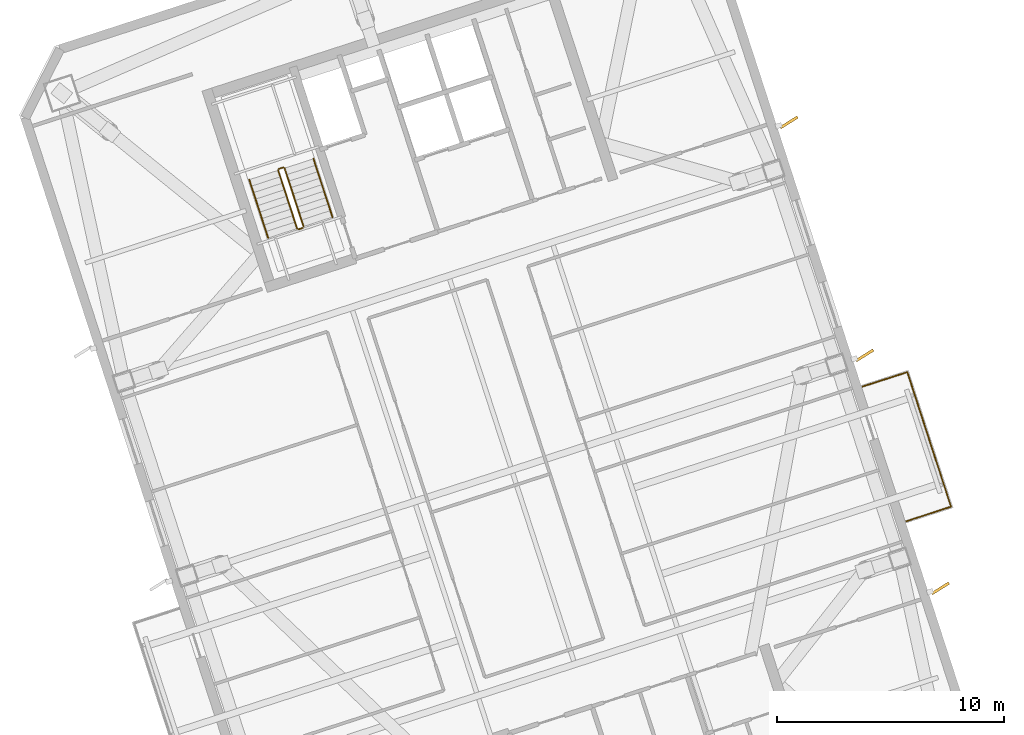
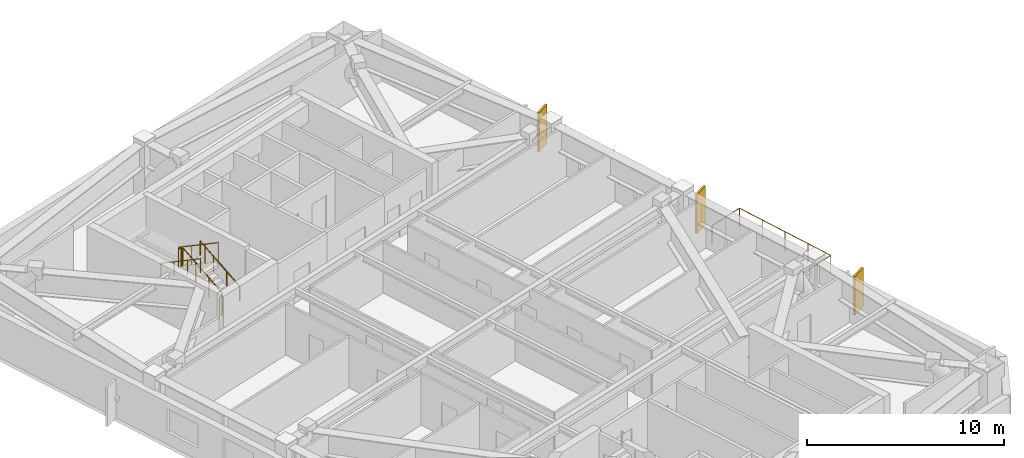
# One storey, part 18 of 18: 7 railings, 3 shading devices.
"""IFC4 building model written with IfcOpenShell, lengths in metres."""

from ifc_helpers import new_model, si_unit, direction, frame, origin, origin_2d, place, context, subcontext, project, spatial, rectangle, circle, extrude, material, layer, layer_set, type_object, element, save


model = new_model("IFC4")

# Units and contexts
model_context = context("Model", 3, precision=1e-05, world=origin(), true_north=direction((0.0, 1.0)))
body_context = subcontext(model_context, "Body", "Model", "MODEL_VIEW")
ifc_project = project(units=[si_unit("LENGTHUNIT", "METRE"), si_unit("AREAUNIT", "SQUARE_METRE"), si_unit("VOLUMEUNIT", "CUBIC_METRE"), si_unit("PLANEANGLEUNIT", "RADIAN"), si_unit("MASSUNIT", "GRAM", prefix="KILO")], contexts=[model_context])

# Site, building, storey
site_placement = place(None, origin())
site = spatial("IfcSite", under=ifc_project, at=site_placement, CompositionType="ELEMENT")
building_placement = place(site_placement, origin())
building = spatial("IfcBuilding", under=site, at=building_placement, Name="Qiaolan Cultural Towers", CompositionType="ELEMENT")
storey_placement = place(building_placement, frame((0.0, 0.0, 195.5)))
storey = spatial("IfcBuildingStorey", under=building, at=storey_placement, Name="L52", CompositionType="ELEMENT", Elevation=195.5)

# Railings
ifc_material_1 = material(Name="Laminated SentryGlas & Stainless Steel S31608 Balustrade", Category="steel")
railing_type_1 = type_object("IfcRailingType", Name="GRD-TERR-1200", PredefinedType="BALUSTRADE", material=ifc_material_1)
railing_1_placement = place(storey_placement, frame((107.39794921875, 31.74609375, 0.0)))
element("IfcRailing", 1, at=railing_1_placement, inside=storey, type_object=railing_type_1, Name="L52 T2 Tree Balcony Guardrail E", PredefinedType="BALUSTRADE", context=body_context, shape_type="SweptSolid", body=[
    extrude(circle(Radius=0.02392578125, at=origin_2d()), frame((0.0, 0.0, 1.17578125), z_axis=(0.951061799618, 0.309000733507, 0.0), x_axis=(-0.309000733507, 0.951061799618, 0.0)), (0.0, 0.0, 1.0), 2.070068359375),
    extrude(circle(Radius=0.02392578125, at=origin_2d()), frame((1.96875, 0.6396484375, 1.17578125), z_axis=(-0.30901175762, 0.951058217804, 0.0), x_axis=(-0.951058217804, -0.30901175762, 0.0)), (0.0, 0.0, 1.0), 6.239990234375),
    extrude(circle(Radius=0.02392578125, at=origin_2d()), frame((0.04052734375, 6.57421875, 1.17578125), z_axis=(-0.951061799618, -0.309000733507, 0.0), x_axis=(0.309000733507, -0.951061799618, 0.0)), (0.0, 0.0, 1.0), 2.070068359375),
    extrude(circle(Radius=0.02099609375, at=origin_2d()), origin(), (0.0, 0.0, 1.0), 1.15185546875),
    extrude(circle(Radius=0.02099609375, at=origin_2d()), frame((0.984375, 0.31982421875, 0.0)), (0.0, 0.0, 1.0), 1.15185546875),
    extrude(circle(Radius=0.02099609375, at=origin_2d()), frame((1.96875, 0.6396484375, 0.0)), (0.0, 0.0, 1.0), 1.15185546875),
    extrude(circle(Radius=0.02099609375, at=origin_2d()), frame((1.48681640625, 2.123291015625, 0.0)), (0.0, 0.0, 1.0), 1.15185546875),
    extrude(circle(Radius=0.02099609375, at=origin_2d()), frame((1.004638671875, 3.60693359375, 0.0)), (0.0, 0.0, 1.0), 1.15185546875),
    extrude(circle(Radius=0.02099609375, at=origin_2d()), frame((0.5224609375, 5.090576171875, 0.0)), (0.0, 0.0, 1.0), 1.15185546875),
    extrude(circle(Radius=0.02099609375, at=origin_2d()), frame((0.04052734375, 6.57421875, 0.0)), (0.0, 0.0, 1.0), 1.15185546875),
    extrude(circle(Radius=0.02099609375, at=origin_2d()), frame((-0.94384765625, 6.25439453125, 0.0)), (0.0, 0.0, 1.0), 1.15185546875),
    extrude(circle(Radius=0.02099609375, at=origin_2d()), frame((-1.92822265625, 5.9345703125, 0.0)), (0.0, 0.0, 1.0), 1.15185546875),
])
ifc_material_2 = material(Name="Galvanized Painted Steel Stair Guardrail", Category="steel")
railing_type_2 = type_object("IfcRailingType", Name="RL-STAIR-GRD", PredefinedType="GUARDRAIL", material=ifc_material_2)
railing_2_placement = place(storey_placement, frame((80.822021484375, 44.739501953125, 0.172607421875)))
element("IfcRailing", 2, at=railing_2_placement, inside=storey, type_object=railing_type_2, Name="L52 ST-E2 stair guard 1", PredefinedType="GUARDRAIL", context=body_context, shape_type="SweptSolid", body=[
    extrude(circle(Radius=0.02392578125, at=origin_2d()), frame((0.0, 0.0, 1.17578125), z_axis=(-0.26785290645, 0.824488402118, 0.498471358535), x_axis=(-0.951069945308, -0.308975661068, 0.0)), (0.0, 0.0, 1.0), 3.114501953125),
    extrude(circle(Radius=0.02099609375, at=origin_2d()), origin(), (0.0, 0.0, 1.0), 1.15185546875),
    extrude(circle(Radius=0.02099609375, at=origin_2d()), frame((-0.278076171875, 0.85595703125, 0.517578125)), (0.0, 0.0, 1.0), 1.15185546875),
    extrude(circle(Radius=0.02099609375, at=origin_2d()), frame((-0.55615234375, 1.7119140625, 1.034912109375)), (0.0, 0.0, 1.0), 1.15185546875),
    extrude(circle(Radius=0.02099609375, at=origin_2d()), frame((-0.834228515625, 2.56787109375, 1.552490234375)), (0.0, 0.0, 1.0), 1.15185546875),
])
railing_3_placement = place(storey_placement, frame((79.9248046875, 47.33935546875, 1.72509765625)))
element("IfcRailing", 3, at=railing_3_placement, inside=storey, type_object=railing_type_2, Name="L52 ST-E2 stair guard 2", PredefinedType="GUARDRAIL", context=body_context, shape_type="SweptSolid", body=[
    extrude(circle(Radius=0.02392578125, at=origin_2d()), frame((0.0, 0.0, 1.17578125), z_axis=(-0.951096855055, -0.308892816854, 0.0), x_axis=(0.308892816854, -0.951096855055, 0.0)), (0.0, 0.0, 1.0), 0.199951171875),
    extrude(circle(Radius=0.02099609375, at=origin_2d()), origin(), (0.0, 0.0, 1.0), 1.15185546875),
    extrude(circle(Radius=0.02099609375, at=origin_2d()), frame((-0.190185546875, -0.061767578125, 0.0)), (0.0, 0.0, 1.0), 1.15185546875),
])
railing_4_placement = place(storey_placement, frame((79.702392578125, 47.214599609375, 1.8974609375)))
element("IfcRailing", 4, at=railing_4_placement, inside=storey, type_object=railing_type_2, Name="L52 ST-E2 stair guard 3", PredefinedType="GUARDRAIL", context=body_context, shape_type="SweptSolid", body=[
    extrude(circle(Radius=0.02392578125, at=origin_2d()), frame((0.0, 0.0, 1.17578125), z_axis=(0.267925668498, -0.824471088726, 0.498460891159), x_axis=(0.951043371037, 0.309057448393, 0.0)), (0.0, 0.0, 1.0), 3.114501953125),
    extrude(circle(Radius=0.02099609375, at=origin_2d()), origin(), (0.0, 0.0, 1.0), 1.15185546875),
    extrude(circle(Radius=0.02099609375, at=origin_2d()), frame((0.278076171875, -0.85595703125, 0.517578125)), (0.0, 0.0, 1.0), 1.15185546875),
    extrude(circle(Radius=0.02099609375, at=origin_2d()), frame((0.556396484375, -1.7119140625, 1.034912109375)), (0.0, 0.0, 1.0), 1.15185546875),
    extrude(circle(Radius=0.02099609375, at=origin_2d()), frame((0.83447265625, -2.56787109375, 1.552490234375)), (0.0, 0.0, 1.0), 1.15185546875),
])
railing_5_placement = place(storey_placement, frame((80.7900390625, 44.676513671875, 0.0)))
element("IfcRailing", 5, at=railing_5_placement, inside=storey, type_object=railing_type_2, Name="L52 ST-E2 stair guard 4", PredefinedType="GUARDRAIL", context=body_context, shape_type="SweptSolid", body=[
    extrude(circle(Radius=0.02392578125, at=origin_2d()), frame((0.0, 0.0, 1.17578125), z_axis=(-0.951096855055, -0.308892816854, 0.0), x_axis=(0.308892816854, -0.951096855055, 0.0)), (0.0, 0.0, 1.0), 0.199951171875),
    extrude(circle(Radius=0.02099609375, at=origin_2d()), origin(), (0.0, 0.0, 1.0), 1.15185546875),
    extrude(circle(Radius=0.02099609375, at=origin_2d()), frame((-0.190185546875, -0.061767578125, 0.0)), (0.0, 0.0, 1.0), 1.15185546875),
])
ifc_material_3 = material(Name="Stainless Steel S30408 Tubular Handrail", Category="steel")
railing_type_3 = type_object("IfcRailingType", Name="RL-STAIR-HR", PredefinedType="HANDRAIL", material=ifc_material_3)
railing_6_placement = place(storey_placement, frame((82.096435546875, 45.153564453125, 0.172607421875)))
element("IfcRailing", 6, at=railing_6_placement, inside=storey, type_object=railing_type_3, Name="L52 ST-E2 stair handrail 1", PredefinedType="HANDRAIL", context=body_context, shape_type="SweptSolid", body=[
    extrude(circle(Radius=0.02392578125, at=origin_2d()), frame((0.0, 0.0, 0.8759765625), z_axis=(-0.26785290645, 0.824488402118, 0.498471358535), x_axis=(-0.951069945308, -0.308975661068, 0.0)), (0.0, 0.0, 1.0), 3.114501953125),
    extrude(circle(Radius=0.02099609375, at=origin_2d()), origin(), (0.0, 0.0, 1.0), 0.851806640625),
    extrude(circle(Radius=0.02099609375, at=origin_2d()), frame((-0.278076171875, 0.85595703125, 0.517578125)), (0.0, 0.0, 1.0), 0.851806640625),
    extrude(circle(Radius=0.02099609375, at=origin_2d()), frame((-0.55615234375, 1.7119140625, 1.034912109375)), (0.0, 0.0, 1.0), 0.851806640625),
    extrude(circle(Radius=0.02099609375, at=origin_2d()), frame((-0.834228515625, 2.56787109375, 1.552490234375)), (0.0, 0.0, 1.0), 0.851806640625),
])
railing_7_placement = place(storey_placement, frame((78.427978515625, 46.800537109375, 1.8974609375)))
element("IfcRailing", 7, at=railing_7_placement, inside=storey, type_object=railing_type_3, Name="L52 ST-E2 stair handrail 2", PredefinedType="HANDRAIL", context=body_context, shape_type="SweptSolid", body=[
    extrude(circle(Radius=0.02392578125, at=origin_2d()), frame((0.0, 0.0, 0.8759765625), z_axis=(0.267925668498, -0.824471088726, 0.498460891159), x_axis=(0.951043371037, 0.309057448393, 0.0)), (0.0, 0.0, 1.0), 3.114501953125),
    extrude(circle(Radius=0.02099609375, at=origin_2d()), origin(), (0.0, 0.0, 1.0), 0.851806640625),
    extrude(circle(Radius=0.02099609375, at=origin_2d()), frame((0.278076171875, -0.85595703125, 0.517578125)), (0.0, 0.0, 1.0), 0.851806640625),
    extrude(circle(Radius=0.02099609375, at=origin_2d()), frame((0.556396484375, -1.7119140625, 1.034912109375)), (0.0, 0.0, 1.0), 0.851806640625),
    extrude(circle(Radius=0.02099609375, at=origin_2d()), frame((0.83447265625, -2.56787109375, 1.552490234375)), (0.0, 0.0, 1.0), 0.851806640625),
])

# Shading devices
ifc_material_4 = material(Name="Pierced Warm Terracotta Acoustic Fin", Category="masonry")
ifc_layer = layer(ifc_material_4, 0.1201171875)
ifc_layer_set = layer_set([ifc_layer], Name="Pierced Warm Terracotta Acoustic Fin")
shading_device_type = type_object("IfcShadingDeviceType", Name="SHD-FIN-PIERCED", PredefinedType="USERDEFINED", material=ifc_layer_set)
for number, where, z_axis, x_axis, name in (
    (8, (108.896728515625, 28.7841796875, 0.10009765625), (0.0, 0.0, 1.0), (0.847164684072, 0.531330403855, 0.0), "L52 T2 Expressive Precast Vertical Fin E1"),
    (9, (105.559326171875, 39.055419921875, 0.10009765625), (0.0, 0.0, 1.0), (0.847164684072, 0.531330403855, 0.0), "L52 T2 Expressive Precast Vertical Fin E2"),
    (10, (102.221923828125, 49.326904296875, 0.10009765625), (0.0, 0.0, 1.0), (0.847164684072, 0.531330403855, 0.0), "L52 T2 Expressive Precast Vertical Fin E3"),
):
    element("IfcShadingDevice", number, at=place(storey_placement, frame(where, z_axis=z_axis, x_axis=x_axis)), inside=storey, type_object=shading_device_type, Name=name, ObjectType="FIN", PredefinedType="USERDEFINED", context=body_context, shape_type="SweptSolid", body=[
        extrude(rectangle(XDim=0.89990234375, YDim=0.1201171875, at=origin_2d()), origin(), (0.0, 0.0, 1.0), 2.409912109375),
    ])

save(model, "model.ifc")
